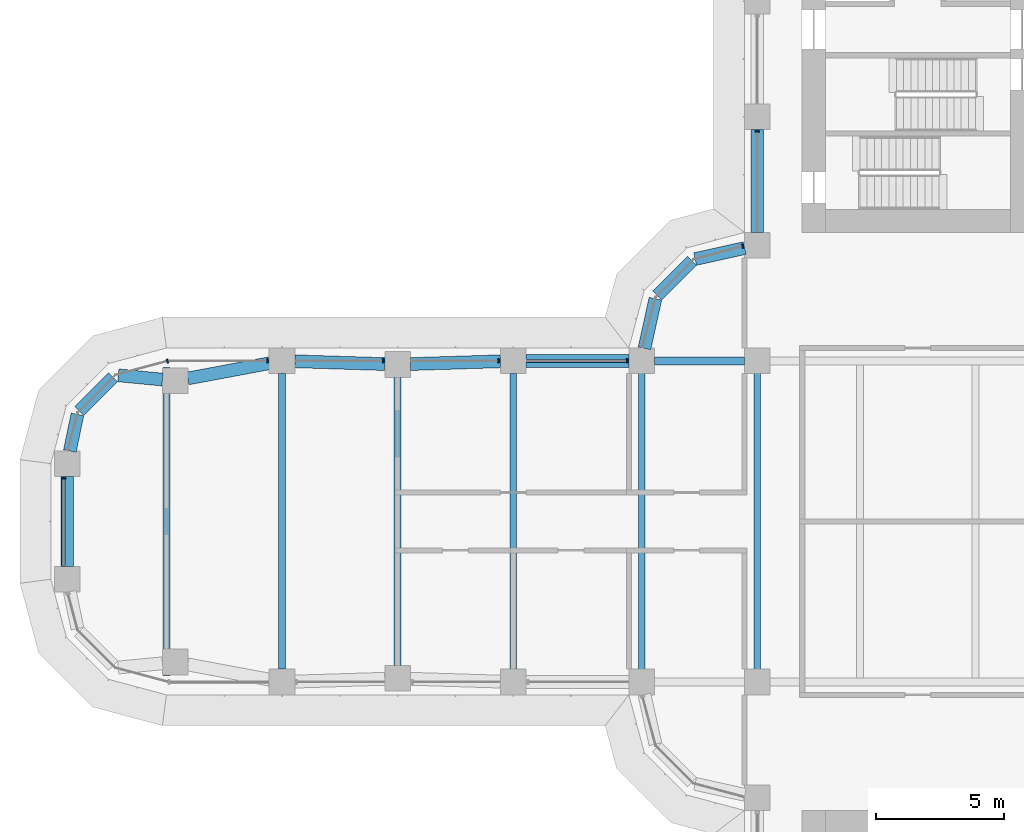
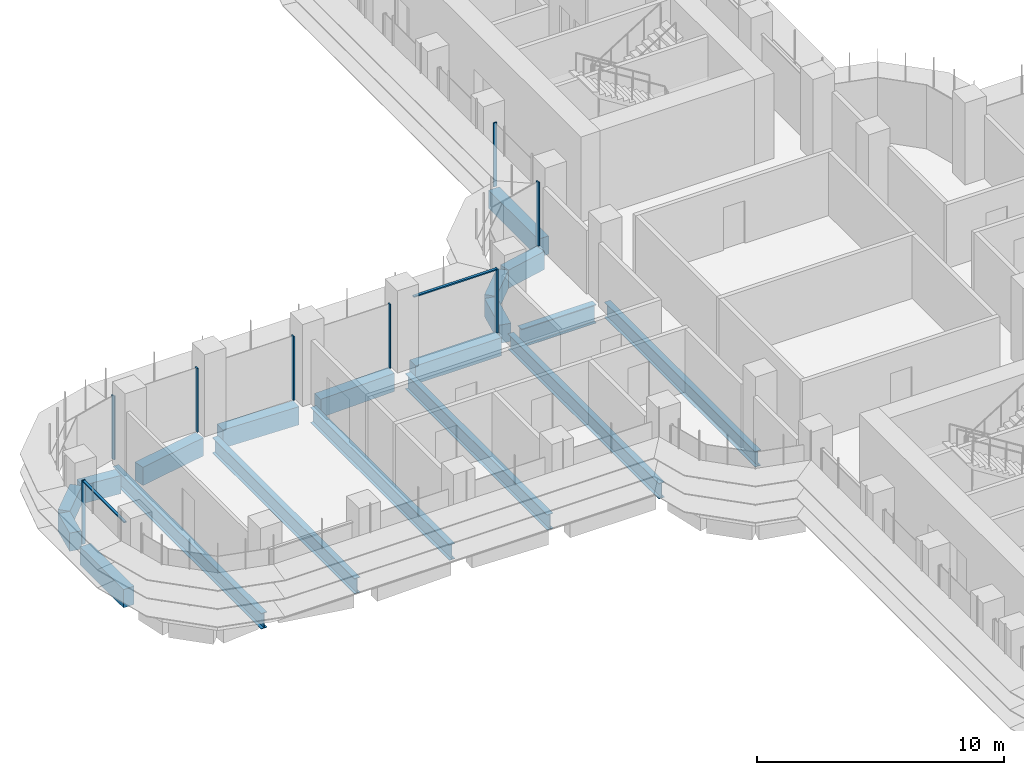
# One storey, part 6 of 23: 19 beams, 10 members, 5 elements without a shape of their own.
"""IFC4 building model written with IfcOpenShell, lengths in metres."""

from ifc_helpers import new_model, si_unit, direction, frame, origin, origin_2d, place, context, subcontext, project, spatial, polyline, rectangle, i_section, outline, extrude, source, transform, mapped, material, material_profile, profile_set, type_object, element, aggregate, save


model = new_model("IFC4")

# Units and contexts
model_context = context("Model", 3, precision=1e-05, world=origin(), true_north=direction((0.0, 1.0)))
body_context = subcontext(model_context, "Body", "Model", "MODEL_VIEW")
ifc_project = project(units=[si_unit("LENGTHUNIT", "METRE"), si_unit("AREAUNIT", "SQUARE_METRE"), si_unit("VOLUMEUNIT", "CUBIC_METRE"), si_unit("PLANEANGLEUNIT", "RADIAN"), si_unit("MASSUNIT", "GRAM", prefix="KILO")], contexts=[model_context])

# Site, building, storey
site_placement = place(None, origin())
site = spatial("IfcSite", under=ifc_project, at=site_placement, CompositionType="ELEMENT")
building_placement = place(site_placement, origin())
building = spatial("IfcBuilding", under=site, at=building_placement, Name="Zarbagh Exchange Tower", CompositionType="ELEMENT")
storey_placement = place(building_placement, frame((0.0, 0.0, 48.0)))
storey = spatial("IfcBuildingStorey", under=building, at=storey_placement, Name="L10", CompositionType="ELEMENT", Elevation=48.0)

# Beams
ifc_material_1 = material(Name="Steel ASTM A992 Gr 50", Category="steel")
ifc_material_profile_1 = material_profile(ifc_material_1, i_section(OverallWidth=0.2666015625, OverallDepth=0.76708984375, WebThickness=0.014892578125, FlangeThickness=0.023681640625, at=origin_2d()), Name="W30X124")
ifc_profile_set_1 = profile_set([ifc_material_profile_1], Name="Steel ASTM A992 Gr 50")
beam_type_1 = type_object("IfcBeamType", Name="Floor beam W30X124", PredefinedType="BEAM", material=ifc_profile_set_1)
for number, where, z_axis, x_axis, name in (
    (1, (-10.75, -6.09765625, -0.533447265625), (0.0, 1.0, 0.0), (-1.0, 0.0, 0.0), "Steel floor beam"),
    (2, (-6.25, -6.09765625, -0.533447265625), (0.0, 1.0, 0.0), (-1.0, 0.0, 0.0), "Steel floor beam"),
):
    element("IfcBeam", number, at=place(storey_placement, frame(where, z_axis=z_axis, x_axis=x_axis)), inside=storey, type_object=beam_type_1, Name=name, PredefinedType="BEAM", context=body_context, shape_type="SweptSolid", body=[
        extrude(i_section(OverallWidth=0.2666015625, OverallDepth=0.76708984375, WebThickness=0.014892578125, FlangeThickness=0.023681640625, at=origin_2d()), origin(), (0.0, 0.0, 1.0), 12.1953125),
    ])
beam_1_placement = place(storey_placement, frame((-15.75, -5.75, -0.533447265625), z_axis=(0.0, 1.0, 0.0), x_axis=(-1.0, 0.0, 0.0)))
element("IfcBeam", 3, at=beam_1_placement, inside=storey, type_object=beam_type_1, Name="Steel floor beam", PredefinedType="BEAM", context=body_context, shape_type="SweptSolid", body=[
    extrude(i_section(OverallWidth=0.2666015625, OverallDepth=0.76708984375, WebThickness=0.014892578125, FlangeThickness=0.023681640625, at=origin_2d()), origin(), (0.0, 0.0, 1.0), 11.5),
])
beam_2_placement = place(storey_placement, frame((-20.25, -5.610107421875, -0.533447265625), z_axis=(0.0, 1.0, 0.0), x_axis=(-1.0, 0.0, 0.0)))
element("IfcBeam", 4, at=beam_2_placement, inside=storey, type_object=beam_type_1, Name="Steel floor beam", PredefinedType="BEAM", context=body_context, shape_type="SweptSolid", body=[
    extrude(i_section(OverallWidth=0.2666015625, OverallDepth=0.76708984375, WebThickness=0.014892578125, FlangeThickness=0.023681640625, at=origin_2d()), origin(), (0.0, 0.0, 1.0), 11.22021484375),
])
beam_3_placement = place(storey_placement, frame((-24.75, -5.75, -0.533447265625), z_axis=(0.0, 1.0, 0.0), x_axis=(-1.0, 0.0, 0.0)))
element("IfcBeam", 5, at=beam_3_placement, inside=storey, type_object=beam_type_1, Name="Steel floor beam", PredefinedType="BEAM", context=body_context, shape_type="SweptSolid", body=[
    extrude(i_section(OverallWidth=0.2666015625, OverallDepth=0.76708984375, WebThickness=0.014892578125, FlangeThickness=0.023681640625, at=origin_2d()), origin(), (0.0, 0.0, 1.0), 11.5),
])
beam_4_placement = place(storey_placement, frame((-29.25, -6.0, -0.533447265625), z_axis=(0.0, 1.0, 0.0), x_axis=(-1.0, 0.0, 0.0)))
element("IfcBeam", 6, at=beam_4_placement, inside=storey, type_object=beam_type_1, Name="Steel floor beam", PredefinedType="BEAM", context=body_context, shape_type="SweptSolid", body=[
    extrude(i_section(OverallWidth=0.2666015625, OverallDepth=0.76708984375, WebThickness=0.014892578125, FlangeThickness=0.023681640625, at=origin_2d()), origin(), (0.0, 0.0, 1.0), 12.0),
])
ifc_material_profile_2 = material_profile(ifc_material_1, i_section(OverallWidth=0.3046875, OverallDepth=0.91943359375, WebThickness=0.017333984375, FlangeThickness=0.02783203125, at=origin_2d()), Name="W36X170")
ifc_profile_set_2 = profile_set([ifc_material_profile_2], Name="Steel ASTM A992 Gr 50")
beam_type_2 = type_object("IfcBeamType", Name="Floor girder W36X170", PredefinedType="BEAM", material=ifc_profile_set_2)
beam_5_placement = place(storey_placement, frame((-10.25, 6.25, -0.609619140625), z_axis=(1.0, 0.0, 0.0), x_axis=(0.0, 1.0, 0.0)))
element("IfcBeam", 7, at=beam_5_placement, inside=storey, type_object=beam_type_2, Name="Steel girder", PredefinedType="BEAM", context=body_context, shape_type="SweptSolid", body=[
    extrude(i_section(OverallWidth=0.3046875, OverallDepth=0.91943359375, WebThickness=0.017333984375, FlangeThickness=0.02783203125, at=origin_2d()), origin(), (0.0, 0.0, 1.0), 3.5),
])
ifc_material_2 = material(Name="Concrete C60/75", Category="concrete")
ifc_material_profile_3 = material_profile(ifc_material_2, rectangle(XDim=0.5, YDim=0.89990234375, at=origin_2d()), Name="RC spandrel beam 500 x 900 C60/75")
ifc_profile_set_3 = profile_set([ifc_material_profile_3], Name="Concrete C60/75")
beam_type_3 = type_object("IfcBeamType", Name="RC spandrel beam 500 x 900 C60/75", PredefinedType="SPANDREL", material=ifc_profile_set_3)
beam_6_placement = place(storey_placement, frame((-33.110107421875, -1.75, -0.60009765625), z_axis=(0.0, 1.0, 0.0), x_axis=(-1.0, 0.0, 0.0)))
element("IfcBeam", 8, at=beam_6_placement, inside=storey, type_object=beam_type_3, Name="RC spandrel beam", PredefinedType="SPANDREL", context=body_context, shape_type="SweptSolid", body=[
    extrude(rectangle(XDim=0.5, YDim=0.89990234375, at=origin_2d()), origin(), (0.0, 0.0, 1.0), 3.5),
])
beam_7_placement = place(storey_placement, frame((-33.0087890625, 2.73974609375, -0.60009765625), z_axis=(0.202068589164, 0.9793713725, 0.0), x_axis=(-0.9793713725, 0.202068589164, 0.0)))
element("IfcBeam", 9, at=beam_7_placement, inside=storey, type_object=beam_type_3, Name="RC spandrel beam", PredefinedType="SPANDREL", context=body_context, shape_type="SweptSolid", body=[
    extrude(rectangle(XDim=0.5, YDim=0.89990234375, at=origin_2d()), origin(), (0.0, 0.0, 1.0), 1.458251953125),
])
beam_8_placement = place(storey_placement, frame((-32.64599609375, 4.294189453125, -0.60009765625), z_axis=(0.707172099812, 0.707041456527, 0.0), x_axis=(-0.707041456527, 0.707172099812, 0.0)))
element("IfcBeam", 10, at=beam_8_placement, inside=storey, type_object=beam_type_3, Name="RC spandrel beam", PredefinedType="SPANDREL", context=body_context, shape_type="SweptSolid", body=[
    extrude(rectangle(XDim=0.5, YDim=0.89990234375, at=origin_2d()), origin(), (0.0, 0.0, 1.0), 1.86865234375),
])
beam_9_placement = place(storey_placement, frame((-31.123779296875, 5.6875, -0.60009765625), z_axis=(0.995431032456, -0.095483294999, 0.0), x_axis=(0.095483294999, 0.995431032456, 0.0)))
element("IfcBeam", 11, at=beam_9_placement, inside=storey, type_object=beam_type_3, Name="RC spandrel beam", PredefinedType="SPANDREL", context=body_context, shape_type="SweptSolid", body=[
    extrude(rectangle(XDim=0.5, YDim=0.89990234375, at=origin_2d()), origin(), (0.0, 0.0, 1.0), 1.725830078125),
])
beam_10_placement = place(storey_placement, frame((-28.41650390625, 5.566650390625, -0.60009765625), z_axis=(0.983069300761, 0.183234139565, 0.0), x_axis=(-0.183234139565, 0.983069300761, 0.0)))
element("IfcBeam", 12, at=beam_10_placement, inside=storey, type_object=beam_type_3, Name="RC spandrel beam", PredefinedType="SPANDREL", context=body_context, shape_type="SweptSolid", body=[
    extrude(rectangle(XDim=0.5, YDim=0.89990234375, at=origin_2d()), origin(), (0.0, 0.0, 1.0), 3.229736328125),
])
for number, where, z_axis, x_axis, name in (
    (13, (-24.250244140625, 6.234619140625, -0.60009765625), (0.999514385708, -0.031160756759, 0.0), (0.031160756759, 0.999514385708, 0.0), "RC spandrel beam"),
    (14, (-19.750244140625, 6.12548828125, -0.60009765625), (0.999514385708, 0.031160756759, 0.0), (-0.031160756759, 0.999514385708, 0.0), "RC spandrel beam"),
):
    element("IfcBeam", number, at=place(storey_placement, frame(where, z_axis=z_axis, x_axis=x_axis)), inside=storey, type_object=beam_type_3, Name=name, PredefinedType="SPANDREL", context=body_context, shape_type="SweptSolid", body=[
        extrude(rectangle(XDim=0.5, YDim=0.89990234375, at=origin_2d()), origin(), (0.0, 0.0, 1.0), 3.502197265625),
    ])
beam_11_placement = place(storey_placement, frame((-15.25, 6.25, -0.60009765625), z_axis=(1.0, 0.0, 0.0), x_axis=(0.0, 1.0, 0.0)))
element("IfcBeam", 15, at=beam_11_placement, inside=storey, type_object=beam_type_3, Name="RC spandrel beam", PredefinedType="SPANDREL", context=body_context, shape_type="SweptSolid", body=[
    extrude(rectangle(XDim=0.5, YDim=0.89990234375, at=origin_2d()), origin(), (0.0, 0.0, 1.0), 4.0),
])
beam_12_placement = place(storey_placement, frame((-10.64208984375, 6.73828125, -0.60009765625), z_axis=(0.216081063242, 0.976375426825, 0.0), x_axis=(-0.976375426825, 0.216081063242, 0.0)))
element("IfcBeam", 16, at=beam_12_placement, inside=storey, type_object=beam_type_3, Name="RC spandrel beam", PredefinedType="SPANDREL", context=body_context, shape_type="SweptSolid", body=[
    extrude(rectangle(XDim=0.5, YDim=0.89990234375, at=origin_2d()), origin(), (0.0, 0.0, 1.0), 1.978271484375),
])
beam_13_placement = place(storey_placement, frame((-10.147216796875, 8.792724609375, -0.60009765625), z_axis=(0.707106781187, 0.707106781187, 0.0), x_axis=(-0.707106781187, 0.707106781187, 0.0)))
element("IfcBeam", 17, at=beam_13_placement, inside=storey, type_object=beam_type_3, Name="RC spandrel beam", PredefinedType="SPANDREL", context=body_context, shape_type="SweptSolid", body=[
    extrude(rectangle(XDim=0.5, YDim=0.89990234375, at=origin_2d()), origin(), (0.0, 0.0, 1.0), 1.91552734375),
])
beam_14_placement = place(storey_placement, frame((-8.669921875, 10.214599609375, -0.60009765625), z_axis=(0.976375426825, 0.216081063242, 0.0), x_axis=(-0.216081063242, 0.976375426825, 0.0)))
element("IfcBeam", 18, at=beam_14_placement, inside=storey, type_object=beam_type_3, Name="RC spandrel beam", PredefinedType="SPANDREL", context=body_context, shape_type="SweptSolid", body=[
    extrude(rectangle(XDim=0.5, YDim=0.89990234375, at=origin_2d()), origin(), (0.0, 0.0, 1.0), 1.978271484375),
])
beam_15_placement = place(storey_placement, frame((-6.25, 11.25, -0.60009765625), z_axis=(0.0, 1.0, 0.0), x_axis=(-1.0, 0.0, 0.0)))
element("IfcBeam", 19, at=beam_15_placement, inside=storey, type_object=beam_type_3, Name="RC spandrel beam", PredefinedType="SPANDREL", context=body_context, shape_type="SweptSolid", body=[
    extrude(rectangle(XDim=0.5, YDim=0.89990234375, at=origin_2d()), origin(), (0.0, 0.0, 1.0), 4.0),
])

# Curtain wall, member
ifc_material_3 = material(Name="Anodised aluminium frame and glazing", Category="aluminium")
curtain_wall_type = type_object("IfcCurtainWallType", Name="CWA Ribbon glazing, lower zones", PredefinedType="NOTDEFINED", material=ifc_material_3)
curtain_wall_1_placement = place(storey_placement, origin())
curtain_wall_1 = element("IfcCurtainWall", 20, at=curtain_wall_1_placement, inside=storey, type_object=curtain_wall_type, Name="CWA28 curtain wall", PredefinedType="NOTDEFINED")
ifc_material_4 = material(Name="Anodised aluminium frame", Category="aluminium")
member_type_1 = type_object("IfcMemberType", Name="MUA Mullion, anodised aluminium frame", PredefinedType="MULLION", material=ifc_material_4)
shared_shape_1 = source(origin(), body_context, "Body", "SweptSolid", [
    extrude(outline(polyline([(0.0, -0.080078125), (0.06005859375, -0.080078125), (0.06005859375, 0.080078125), (0.0, 0.080078125), (0.0, -0.080078125)])), origin(), (0.0, 0.0, 1.0), 3.14990234375),
])
placement = place(storey_placement, origin())
member_1 = element("IfcMember", 21, at=placement, type_object=member_type_1, Name="CWA28 mullion 5.1", PredefinedType="MULLION", context=body_context, shape_type="MappedRepresentation", body=[
    mapped(shared_shape_1, transform((-6.25, 15.2099609375, 0.0), x_axis=(0.0, -1.0, 0.0), y_axis=(1.0, 0.0, 0.0), z_axis=(0.0, 0.0, 1.0))),
])
aggregate(curtain_wall_1, [member_1])

curtain_wall_2_placement = place(storey_placement, origin())
curtain_wall_2 = element("IfcCurtainWall", 22, at=curtain_wall_2_placement, inside=storey, type_object=curtain_wall_type, Name="CWA29 curtain wall", PredefinedType="NOTDEFINED")
member_2 = element("IfcMember", 23, at=placement, type_object=member_type_1, Name="CWA29 mullion 1.1", PredefinedType="MULLION", context=body_context, shape_type="MappedRepresentation", body=[
    mapped(shared_shape_1, transform((-6.7900390625, 10.7216796875, 0.0), x_axis=(-0.965924289636, -0.258824779902, 0.0), y_axis=(0.258824779902, -0.965924289636, 0.0), z_axis=(0.0, 0.0, 1.0))),
])
aggregate(curtain_wall_2, [member_2])

# Curtain wall, members
curtain_wall_3_placement = place(storey_placement, origin())
curtain_wall_3 = element("IfcCurtainWall", 24, at=curtain_wall_3_placement, inside=storey, type_object=curtain_wall_type, Name="CWA32 curtain wall", PredefinedType="NOTDEFINED")
member_3 = element("IfcMember", 25, at=placement, type_object=member_type_1, Name="CWA32 mullion 1.1", PredefinedType="MULLION", context=body_context, shape_type="MappedRepresentation", body=[
    mapped(shared_shape_1, transform((-11.2900390625, 6.25, 0.0), x_axis=(-1.0, 0.0, 0.0), y_axis=(0.0, -1.0, 0.0), z_axis=(0.0, 0.0, 1.0))),
])
member_4 = element("IfcMember", 26, at=placement, type_object=member_type_1, Name="CWA32 mullion 2.1", PredefinedType="MULLION", context=body_context, shape_type="MappedRepresentation", body=[
    mapped(shared_shape_1, transform((-16.2900390625, 6.25, 0.0), x_axis=(-1.0, 0.0, 0.0), y_axis=(0.0, -1.0, 0.0), z_axis=(0.0, 0.0, 1.0))),
])
member_5 = element("IfcMember", 27, at=placement, type_object=member_type_1, Name="CWA32 mullion 3.1", PredefinedType="MULLION", context=body_context, shape_type="MappedRepresentation", body=[
    mapped(shared_shape_1, transform((-20.7900390625, 6.25, 0.0), x_axis=(-1.0, 0.0, 0.0), y_axis=(0.0, -1.0, 0.0), z_axis=(0.0, 0.0, 1.0))),
])
member_6 = element("IfcMember", 28, at=placement, type_object=member_type_1, Name="CWA32 mullion 4.1", PredefinedType="MULLION", context=body_context, shape_type="MappedRepresentation", body=[
    mapped(shared_shape_1, transform((-25.2900390625, 6.25, 0.0), x_axis=(-1.0, 0.0, 0.0), y_axis=(0.0, -1.0, 0.0), z_axis=(0.0, 0.0, 1.0))),
])

# Curtain wall, member
curtain_wall_4_placement = place(storey_placement, origin())
curtain_wall_4 = element("IfcCurtainWall", 29, at=curtain_wall_4_placement, inside=storey, type_object=curtain_wall_type, Name="CWA33 curtain wall", PredefinedType="NOTDEFINED")
member_7 = element("IfcMember", 30, at=placement, type_object=member_type_1, Name="CWA33 mullion 1.1", PredefinedType="MULLION", context=body_context, shape_type="MappedRepresentation", body=[
    mapped(shared_shape_1, transform((-29.18408203125, 6.25, 0.0), x_axis=(-0.965924289636, -0.258824779902, 0.0), y_axis=(0.258824779902, -0.965924289636, 0.0), z_axis=(0.0, 0.0, 1.0))),
])
aggregate(curtain_wall_4, [member_7])

curtain_wall_5_placement = place(storey_placement, origin())
curtain_wall_5 = element("IfcCurtainWall", 31, at=curtain_wall_5_placement, inside=storey, type_object=curtain_wall_type, Name="CWA36 curtain wall", PredefinedType="NOTDEFINED")
member_8 = element("IfcMember", 32, at=placement, type_object=member_type_1, Name="CWA36 mullion 1.1", PredefinedType="MULLION", context=body_context, shape_type="MappedRepresentation", body=[
    mapped(shared_shape_1, transform((-33.25, 1.7099609375, 0.0), x_axis=(0.0, -1.0, 0.0), y_axis=(1.0, 0.0, 0.0), z_axis=(0.0, 0.0, 1.0))),
])

# Member
member_type_2 = type_object("IfcMemberType", Name="TRA Transom, anodised aluminium frame", PredefinedType="USERDEFINED", material=ifc_material_4)
shared_shape_2 = source(origin(), body_context, "Body", "SweptSolid", [
    extrude(outline(polyline([(-0.06005859375, -0.06005859375), (0.0, -0.06005859375), (0.0, 0.06005859375), (-0.06005859375, 0.06005859375), (-0.06005859375, -0.06005859375)])), origin(), (0.0, 0.0, 1.0), 3.860107421875),
])
member_9 = element("IfcMember", 33, at=placement, type_object=member_type_2, Name="CWA32 transom 1.1", ObjectType="TRANSOM", PredefinedType="USERDEFINED", context=body_context, shape_type="MappedRepresentation", body=[
    mapped(shared_shape_2, transform((-11.35009765625, 6.25, 3.14990234375), x_axis=(0.0, 0.0, 1.0), y_axis=(0.0, 1.0, 0.0), z_axis=(-1.0, 0.0, 0.0))),
])

aggregate(curtain_wall_3, [member_3, member_9, member_4, member_5, member_6])

shared_shape_3 = source(origin(), body_context, "Body", "SweptSolid", [
    extrude(outline(polyline([(-0.06005859375, -0.06005859375), (0.0, -0.06005859375), (0.0, 0.06005859375), (-0.06005859375, 0.06005859375), (-0.06005859375, -0.06005859375)])), origin(), (0.0, 0.0, 1.0), 3.360107421875),
])
member_10 = element("IfcMember", 34, at=placement, type_object=member_type_2, Name="CWA36 transom 1.1", ObjectType="TRANSOM", PredefinedType="USERDEFINED", context=body_context, shape_type="MappedRepresentation", body=[
    mapped(shared_shape_3, transform((-33.25, 1.64990234375, 3.14990234375), x_axis=(0.0, 0.0, 1.0), y_axis=(-1.0, 0.0, 0.0), z_axis=(0.0, -1.0, 0.0))),
])

aggregate(curtain_wall_5, [member_8, member_10])

save(model, "model.ifc")
